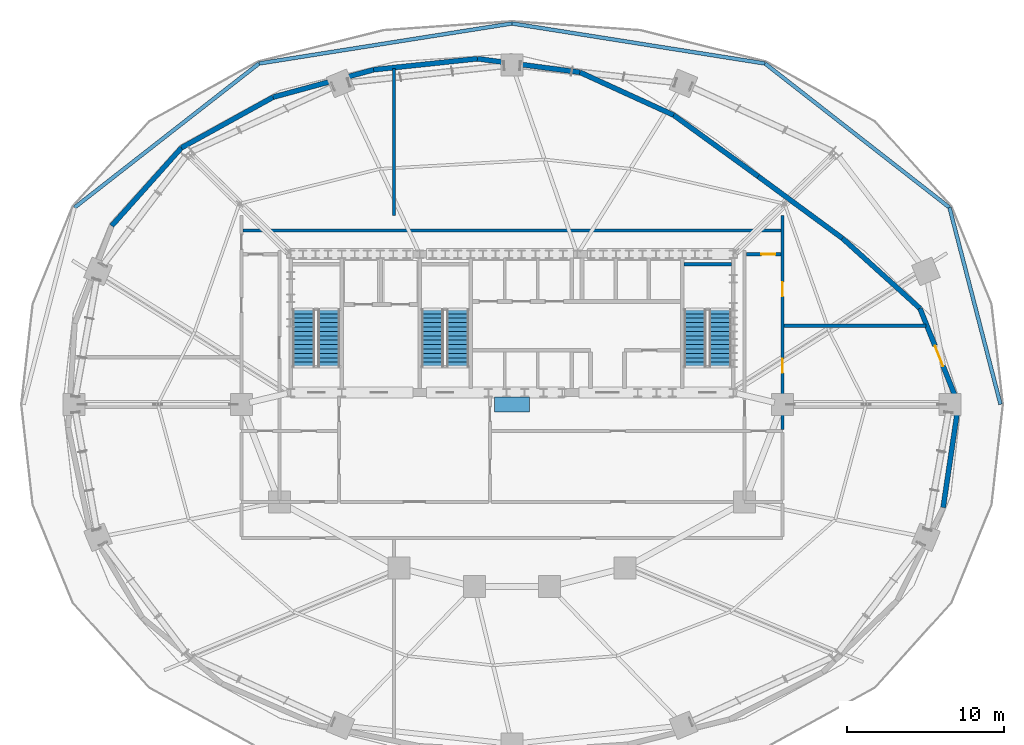
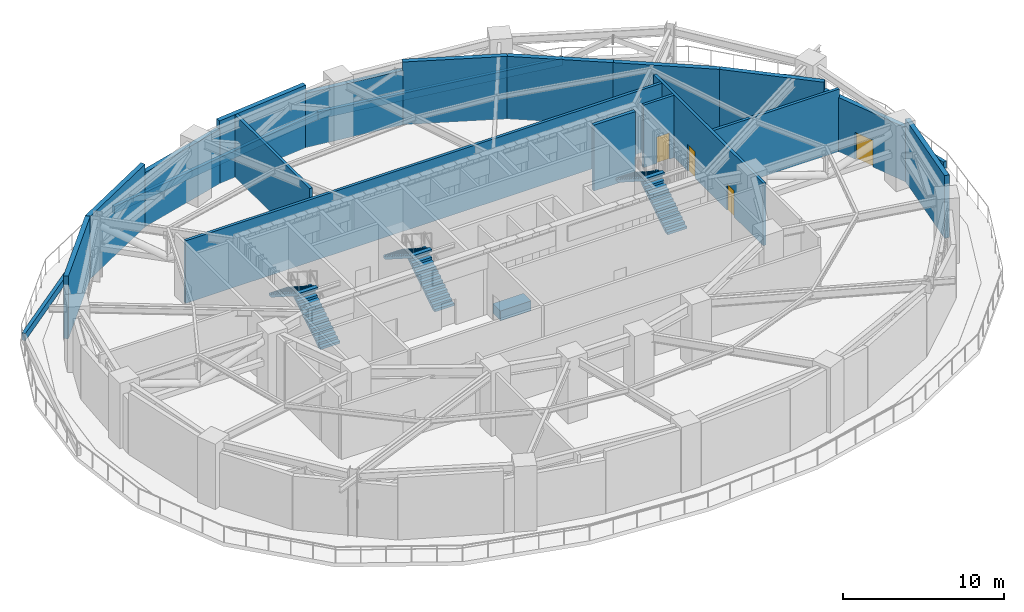
# One storey, part 16 of 18: 22 walls, 6 stair flights, 4 doors, 1 discrete accessory, 4 openings, 3 elements without a shape of their own.
"""IFC4 building model written with IfcOpenShell, lengths in metres."""

from ifc_helpers import new_model, si_unit, direction, frame, frame_2d, origin, origin_2d, place, context, subcontext, project, spatial, polyline, rectangle, outline, extrude, material, layer, layer_set, type_object, element, fill, aggregate, save


model = new_model("IFC4")

# Units and contexts
model_context = context("Model", 3, precision=1e-05, world=origin(), true_north=direction((0.0, 1.0)))
body_context = subcontext(model_context, "Body", "Model", "MODEL_VIEW")
ifc_project = project(units=[si_unit("LENGTHUNIT", "METRE"), si_unit("AREAUNIT", "SQUARE_METRE"), si_unit("VOLUMEUNIT", "CUBIC_METRE"), si_unit("PLANEANGLEUNIT", "RADIAN"), si_unit("MASSUNIT", "GRAM", prefix="KILO")], contexts=[model_context])

# Site, building, storey
site_placement = place(None, origin())
site = spatial("IfcSite", under=ifc_project, at=site_placement, CompositionType="ELEMENT")
building_placement = place(site_placement, origin())
building = spatial("IfcBuilding", under=site, at=building_placement, Name="Haldorwick Loom Tower", CompositionType="ELEMENT")
storey_placement = place(building_placement, frame((0.0, 0.0, 76.800048828125)))
storey = spatial("IfcBuildingStorey", under=building, at=storey_placement, Name="L20", CompositionType="ELEMENT", Elevation=76.800048828125)

# Wall, opening, door
ifc_material_1 = material(Name="Pressed Clay Face Brick and Insulated Masonry Backup Assembly", Category="masonry")
ifc_layer_1 = layer(ifc_material_1, 0.320068359375, Name="Pressed Clay Face Brick and Insulated Masonry Backup Assembly", Category="masonry")
ifc_layer_set_1 = layer_set([ifc_layer_1], Name="Pressed Clay Face Brick and Insulated Masonry Backup Assembly")
wall_type_1 = type_object("IfcWallType", Name="ARC-WL-EXT320", PredefinedType="STANDARD", material=ifc_layer_set_1)
wall_1_placement = place(storey_placement, frame((64.397705078125, 26.0, 0.0), z_axis=(0.0, 0.0, 1.0), x_axis=(-0.371928301023, 0.928261460419, 0.0)))
wall_1 = element("IfcWall", 1, at=wall_1_placement, inside=storey, type_object=wall_type_1, Name="L20 Brick Pier and Spandrel Wall 1", PredefinedType="STANDARD", context=body_context, shape_type="SweptSolid", body=[
    extrude(rectangle(XDim=6.575927734375, YDim=0.320068359375, at=frame_2d((3.2880859375, 0.0))), origin(), (0.0, 0.0, 1.0), 4.118896484375),
])
opening_1_placement = place(wall_1_placement, frame((2.617919921875, 0.0, 0.0)))
opening_1 = element("IfcOpeningElement", 2, at=opening_1_placement, cuts=wall_1, Name="Opening D-TR14", PredefinedType="OPENING", context=body_context, shape_type="SweptSolid", body=[
    extrude(rectangle(XDim=1.39990234375, YDim=2.0400390625, at=frame_2d((0.699951171875, 1.02001953125))), frame((0.0, 0.169921875, 0.0), z_axis=(0.0, -1.0, 0.0), x_axis=(1.0, 0.0, 0.0)), (0.0, 0.0, 1.0), 0.340087890625),
])
ifc_material_2 = material(Name="Thermally Broken Anodized Aluminium Curtain Wall Framing", Category="aluminium")
door_type_1 = type_object("IfcDoorType", Name="ARC-DR-EXT-TER", OperationType="DOUBLE_DOOR_SINGLE_SWING", PredefinedType="DOOR", material=ifc_material_2)
door_1_placement = place(opening_1_placement, origin())
door_1 = element("IfcDoor", 3, at=door_1_placement, inside=storey, type_object=door_type_1, Name="L20 Outdoor Terrace Door SLB-L20-TERR-1", OperationType="DOUBLE_DOOR_SINGLE_SWING", OverallHeight=2.0400390625, OverallWidth=1.39990234375, PredefinedType="DOOR", context=body_context, shape_type="SweptSolid", body=[
    extrude(rectangle(XDim=1.39990234375, YDim=2.0400390625, at=frame_2d((0.699951171875, 1.02001953125))), frame((0.0, 0.02490234375, 0.0), z_axis=(0.0, -1.0, 0.0), x_axis=(1.0, 0.0, 0.0)), (0.0, 0.0, 1.0), 0.050048828125),
])
fill(opening_1, door_1)

# Walls
wall_2_placement = place(storey_placement, frame((61.951904296875, 32.104248046875, 0.0), z_axis=(0.0, 0.0, 1.0), x_axis=(-0.741720160195, 0.67070947806, 0.0)))
element("IfcWall", 4, at=wall_2_placement, inside=storey, type_object=wall_type_1, Name="L20 Brick Pier and Spandrel Wall 2", PredefinedType="STANDARD", context=body_context, shape_type="SweptSolid", body=[
    extrude(rectangle(XDim=6.649169921875, YDim=0.320068359375, at=frame_2d((3.32470703125, 0.0))), origin(), (0.0, 0.0, 1.0), 4.760009765625),
])
wall_3_placement = place(storey_placement, frame((57.02001953125, 36.56396484375, 0.0), z_axis=(0.0, 0.0, 1.0), x_axis=(-0.805740636314, 0.592268542971, 0.0)))
element("IfcWall", 5, at=wall_3_placement, inside=storey, type_object=wall_type_1, Name="L20 Brick Pier and Spandrel Wall 3", PredefinedType="STANDARD", context=body_context, shape_type="SweptSolid", body=[
    extrude(rectangle(XDim=6.652587890625, YDim=0.320068359375, at=frame_2d((3.326171875, 0.0))), origin(), (0.0, 0.0, 1.0), 4.760009765625),
])
wall_4_placement = place(storey_placement, frame((51.65966796875, 40.504150390625, 0.0), z_axis=(0.0, 0.0, 1.0), x_axis=(-0.809847557248, 0.586640378783, 0.0)))
element("IfcWall", 6, at=wall_4_placement, inside=storey, type_object=wall_type_1, Name="L20 Brick Pier and Spandrel Wall 4", PredefinedType="STANDARD", context=body_context, shape_type="SweptSolid", body=[
    extrude(rectangle(XDim=6.640380859375, YDim=0.320068359375, at=frame_2d((3.3203125, 0.0))), origin(), (0.0, 0.0, 1.0), 4.760009765625),
])
wall_5_placement = place(storey_placement, frame((46.281982421875, 44.399658203125, 0.0), z_axis=(0.0, 0.0, 1.0), x_axis=(-0.909541311737, 0.415613525096, 0.0)))
element("IfcWall", 7, at=wall_5_placement, inside=storey, type_object=wall_type_1, Name="L20 Brick Pier and Spandrel Wall 5", PredefinedType="STANDARD", context=body_context, shape_type="SweptSolid", body=[
    extrude(rectangle(XDim=6.5498046875, YDim=0.320068359375, at=frame_2d((3.27490234375, 0.0))), origin(), (0.0, 0.0, 1.0), 4.760009765625),
])
wall_6_placement = place(storey_placement, frame((40.32470703125, 47.121826171875, 0.0), z_axis=(0.0, 0.0, 1.0), x_axis=(-0.991355049741, 0.131206575115, 0.0)))
element("IfcWall", 8, at=wall_6_placement, inside=storey, type_object=wall_type_1, Name="L20 Brick Pier and Spandrel Wall 6", PredefinedType="STANDARD", context=body_context, shape_type="SweptSolid", body=[
    extrude(rectangle(XDim=6.583251953125, YDim=0.320068359375, at=frame_2d((3.29150390625, 0.0))), origin(), (0.0, 0.0, 1.0), 4.118896484375),
])
wall_7_placement = place(storey_placement, frame((33.79833984375, 47.985595703125, 0.0), z_axis=(0.0, 0.0, 1.0), x_axis=(-0.994445602528, -0.105251810496, 0.0)))
element("IfcWall", 9, at=wall_7_placement, inside=storey, type_object=wall_type_1, Name="L20 Brick Pier and Spandrel Wall 7", PredefinedType="STANDARD", context=body_context, shape_type="SweptSolid", body=[
    extrude(rectangle(XDim=6.634033203125, YDim=0.320068359375, at=frame_2d((3.31689453125, 0.0))), origin(), (0.0, 0.0, 1.0), 4.760009765625),
])
wall_8_placement = place(storey_placement, frame((27.201171875, 47.287353515625, 0.0), z_axis=(0.0, 0.0, 1.0), x_axis=(-0.964708627581, -0.26331969898, 0.0)))
element("IfcWall", 10, at=wall_8_placement, inside=storey, type_object=wall_type_1, Name="L20 Brick Pier and Spandrel Wall 8", PredefinedType="STANDARD", context=body_context, shape_type="SweptSolid", body=[
    extrude(rectangle(XDim=6.637451171875, YDim=0.320068359375, at=frame_2d((3.31884765625, 0.0))), origin(), (0.0, 0.0, 1.0), 4.118896484375),
])
wall_9_placement = place(storey_placement, frame((20.7978515625, 45.53955078125, 0.0), z_axis=(0.0, 0.0, 1.0), x_axis=(-0.875291801267, -0.483595143313, 0.0)))
element("IfcWall", 11, at=wall_9_placement, inside=storey, type_object=wall_type_1, Name="L20 Brick Pier and Spandrel Wall 9", PredefinedType="STANDARD", context=body_context, shape_type="SweptSolid", body=[
    extrude(rectangle(XDim=6.65478515625, YDim=0.320068359375, at=frame_2d((3.327392578125, 0.0))), origin(), (0.0, 0.0, 1.0), 4.760009765625),
])
wall_10_placement = place(storey_placement, frame((14.972900390625, 42.3212890625, 0.0), z_axis=(0.0, 0.0, 1.0), x_axis=(-0.666386109323, -0.745606835606, 0.0)))
element("IfcWall", 12, at=wall_10_placement, inside=storey, type_object=wall_type_1, Name="L20 Brick Pier and Spandrel Wall 10", PredefinedType="STANDARD", context=body_context, shape_type="SweptSolid", body=[
    extrude(rectangle(XDim=6.653564453125, YDim=0.320068359375, at=frame_2d((3.32666015625, 0.0))), origin(), (0.0, 0.0, 1.0), 4.760009765625),
])
wall_11_placement = place(storey_placement, frame((63.427001953125, 19.438720703125, 0.0), z_axis=(0.0, 0.0, 1.0), x_axis=(0.146351225421, 0.989232691948, 0.0)))
element("IfcWall", 13, at=wall_11_placement, inside=storey, type_object=wall_type_1, Name="L20 Brick Pier and Spandrel Wall 24", PredefinedType="STANDARD", context=body_context, shape_type="SweptSolid", body=[
    extrude(rectangle(XDim=6.6328125, YDim=0.320068359375, at=frame_2d((3.31640625, 0.0))), origin(), (0.0, 0.0, 1.0), 4.760009765625),
])

# Wall, openings, doors
ifc_material_3 = material(Name="Fire-Rated Type X Gypsum Stud Assembly EI 120")
ifc_layer_2 = layer(ifc_material_3, 0.199951171875, Name="Fire-Rated Type X Gypsum Stud Assembly EI 120")
ifc_layer_set_2 = layer_set([ifc_layer_2], Name="Fire-Rated Type X Gypsum Stud Assembly EI 120")
wall_type_2 = type_object("IfcWallType", Name="ARC-WL-FIRE200", PredefinedType="PARTITIONING", material=ifc_layer_set_2)
wall_12_placement = place(storey_placement, frame((53.199951171875, 24.403076171875, 0.0), z_axis=(0.0, 0.0, 1.0), x_axis=(0.0, 1.0, 0.0)))
wall_12 = element("IfcWall", 14, at=wall_12_placement, inside=storey, type_object=wall_type_2, Name="L20 Interior Partition L20-PC-E1", PredefinedType="PARTITIONING", context=body_context, shape_type="SweptSolid", body=[
    extrude(rectangle(XDim=13.596923828125, YDim=0.199951171875, at=frame_2d((6.79833984375, 0.0))), origin(), (0.0, 0.0, 1.0), 4.744873046875),
])
opening_2_placement = place(wall_12_placement, frame((3.59326171875, 0.0, 0.0)))
opening_2 = element("IfcOpeningElement", 15, at=opening_2_placement, cuts=wall_12, Name="Opening D-FD60A", PredefinedType="OPENING", context=body_context, shape_type="SweptSolid", body=[
    extrude(rectangle(XDim=0.89990234375, YDim=2.0, at=frame_2d((0.449951171875, 1.0))), frame((0.0, 0.10986328125, 0.0), z_axis=(0.0, -1.0, 0.0), x_axis=(1.0, 0.0, 0.0)), (0.0, 0.0, 1.0), 0.219970703125),
])
opening_3_placement = place(wall_12_placement, frame((8.466064453125, 0.0, 0.0)))
opening_3 = element("IfcOpeningElement", 16, at=opening_3_placement, cuts=wall_12, Name="Opening D-FD60A", PredefinedType="OPENING", context=body_context, shape_type="SweptSolid", body=[
    extrude(rectangle(XDim=0.89990234375, YDim=2.0, at=frame_2d((0.449951171875, 1.0))), frame((0.0, 0.10986328125, 0.0), z_axis=(0.0, -1.0, 0.0), x_axis=(1.0, 0.0, 0.0)), (0.0, 0.0, 1.0), 0.219970703125),
])
ifc_material_4 = material(Name="Hollow Steel Fire Door Assembly", Category="steel")
door_type_2 = type_object("IfcDoorType", Name="ARC-DR-FD60-90", OperationType="NOTDEFINED", PredefinedType="DOOR", material=ifc_material_4)
door_2_placement = place(opening_2_placement, frame((0.89990234375, 0.0, 0.0), z_axis=(0.0, 0.0, 1.0), x_axis=(-1.0, 0.0, 0.0)))
door_2 = element("IfcDoor", 17, at=door_2_placement, inside=storey, type_object=door_type_2, Name="L20 East Mechanical Corridor to Air Handling Ventilation Plant Door", OperationType="SINGLE_SWING_LEFT", OverallHeight=2.0, OverallWidth=0.89990234375, PredefinedType="DOOR", context=body_context, shape_type="SweptSolid", body=[
    extrude(rectangle(XDim=0.89990234375, YDim=2.0, at=frame_2d((0.449951171875, 1.0))), frame((0.0, 0.02490234375, 0.0), z_axis=(0.0, -1.0, 0.0), x_axis=(1.0, 0.0, 0.0)), (0.0, 0.0, 1.0), 0.050048828125),
])
fill(opening_2, door_2)
door_3_placement = place(opening_3_placement, frame((0.89990234375, 0.0, 0.0), z_axis=(0.0, 0.0, 1.0), x_axis=(-1.0, 0.0, 0.0)))
door_3 = element("IfcDoor", 18, at=door_3_placement, inside=storey, type_object=door_type_2, Name="L20 East Mechanical Corridor to Emergency Power Transformer Plant Door", OperationType="SINGLE_SWING_RIGHT", OverallHeight=2.0, OverallWidth=0.89990234375, PredefinedType="DOOR", context=body_context, shape_type="SweptSolid", body=[
    extrude(rectangle(XDim=0.89990234375, YDim=2.0, at=frame_2d((0.449951171875, 1.0))), frame((0.0, 0.02490234375, 0.0), z_axis=(0.0, -1.0, 0.0), x_axis=(1.0, 0.0, 0.0)), (0.0, 0.0, 1.0), 0.050048828125),
])
fill(opening_3, door_3)

# Wall, opening, door
wall_13_placement = place(storey_placement, frame((50.903076171875, 35.550048828125, 0.0), z_axis=(0.0, 0.0, 1.0), x_axis=(1.0, 0.0, 0.0)))
wall_13 = element("IfcWall", 19, at=wall_13_placement, inside=storey, type_object=wall_type_2, Name="L20 Interior Partition L20-PC-EN", PredefinedType="PARTITIONING", context=body_context, shape_type="SweptSolid", body=[
    extrude(rectangle(XDim=2.19384765625, YDim=0.199951171875, at=frame_2d((1.096923828125, 0.0))), origin(), (0.0, 0.0, 1.0), 4.744873046875),
])
opening_4_placement = place(wall_13_placement, frame((0.9541015625, 0.0, 0.0)))
opening_4 = element("IfcOpeningElement", 20, at=opening_4_placement, cuts=wall_13, Name="Opening D-FD60A", PredefinedType="OPENING", context=body_context, shape_type="SweptSolid", body=[
    extrude(rectangle(XDim=0.89990234375, YDim=2.0, at=frame_2d((0.449951171875, 1.0))), frame((0.0, 0.10986328125, 0.0), z_axis=(0.0, -1.0, 0.0), x_axis=(1.0, 0.0, 0.0)), (0.0, 0.0, 1.0), 0.219970703125),
])
door_4_placement = place(opening_4_placement, origin())
door_4 = element("IfcDoor", 21, at=door_4_placement, inside=storey, type_object=door_type_2, Name="L20 North Mechanical Corridor to East Mechanical Corridor Door", OperationType="SINGLE_SWING_LEFT", OverallHeight=2.0, OverallWidth=0.89990234375, PredefinedType="DOOR", context=body_context, shape_type="SweptSolid", body=[
    extrude(rectangle(XDim=0.89990234375, YDim=2.0, at=frame_2d((0.449951171875, 1.0))), frame((0.0, 0.02490234375, 0.0), z_axis=(0.0, -1.0, 0.0), x_axis=(1.0, 0.0, 0.0)), (0.0, 0.0, 1.0), 0.050048828125),
])
fill(opening_4, door_4)

# Walls
wall_14_placement = place(storey_placement, frame((18.903076171875, 37.050048828125, 0.0), z_axis=(0.0, 0.0, 1.0), x_axis=(1.0, 0.0, 0.0)))
element("IfcWall", 22, at=wall_14_placement, inside=storey, type_object=wall_type_2, Name="L20 Interior Partition L20-PC-N1", PredefinedType="PARTITIONING", context=body_context, shape_type="SweptSolid", body=[
    extrude(rectangle(XDim=34.19384765625, YDim=0.199951171875, at=frame_2d((17.096923828125, 0.0))), origin(), (0.0, 0.0, 1.0), 4.744873046875),
])
wall_15_placement = place(storey_placement, frame((28.5, 38.0, 0.0), z_axis=(0.0, 0.0, 1.0), x_axis=(0.0, 1.0, 0.0)))
element("IfcWall", 23, at=wall_15_placement, inside=storey, type_object=wall_type_2, Name="L20 Interior Partition L20-PL-N", PredefinedType="PARTITIONING", context=body_context, shape_type="SweptSolid", body=[
    extrude(rectangle(XDim=9.359375, YDim=0.199951171875, at=frame_2d((4.6796875, 0.0))), origin(), (0.0, 0.0, 1.0), 4.744873046875),
])
wall_16_placement = place(storey_placement, frame((53.302978515625, 31.0, 0.0), z_axis=(0.0, 0.0, 1.0), x_axis=(1.0, 0.0, 0.0)))
element("IfcWall", 24, at=wall_16_placement, inside=storey, type_object=wall_type_2, Name="L20 Interior Partition L20-PL-E", PredefinedType="PARTITIONING", context=body_context, shape_type="SweptSolid", body=[
    extrude(rectangle(XDim=9.021240234375, YDim=0.199951171875, at=frame_2d((4.5107421875, 0.0))), origin(), (0.0, 0.0, 1.0), 4.744873046875),
])
ifc_layer_3 = layer(ifc_material_1, 0.239990234375, Name="Pressed Clay Face Brick and Insulated Masonry Backup Assembly", Category="masonry")
ifc_layer_set_3 = layer_set([ifc_layer_3], Name="Pressed Clay Face Brick and Insulated Masonry Backup Assembly")
wall_type_3 = type_object("IfcWallType", Name="ARC-WL-PARAPET240", PredefinedType="PARAPET", material=ifc_layer_set_3)
wall_17_placement = place(storey_placement, frame((8.17138671875, 38.518798828125, 0.0), z_axis=(0.0, 0.0, 1.0), x_axis=(0.788139218322, 0.615497012619, 0.0)))
element("IfcWall", 25, at=wall_17_placement, inside=storey, type_object=wall_type_3, Name="L20 Terrace Masonry Parapet 2", PredefinedType="PARAPET", context=body_context, shape_type="SweptSolid", body=[
    extrude(rectangle(XDim=14.88818359375, YDim=0.239990234375, at=frame_2d((7.444091796875, 0.0))), origin(), (0.0, 0.0, 1.0), 0.550048828125),
])
wall_18_placement = place(storey_placement, frame((19.9052734375, 47.682373046875, 0.0), z_axis=(0.0, 0.0, 1.0), x_axis=(0.987707629948, 0.156312628227, 0.0)))
element("IfcWall", 26, at=wall_18_placement, inside=storey, type_object=wall_type_3, Name="L20 Terrace Masonry Parapet 3", PredefinedType="PARAPET", context=body_context, shape_type="SweptSolid", body=[
    extrude(rectangle(XDim=16.294921875, YDim=0.239990234375, at=frame_2d((8.1474609375, 0.0))), origin(), (0.0, 0.0, 1.0), 0.550048828125),
])
wall_19_placement = place(storey_placement, frame((36.0, 50.2294921875, 0.0), z_axis=(0.0, 0.0, 1.0), x_axis=(0.987706048934, -0.156322618005, 0.0)))
element("IfcWall", 27, at=wall_19_placement, inside=storey, type_object=wall_type_3, Name="L20 Terrace Masonry Parapet 4", PredefinedType="PARAPET", context=body_context, shape_type="SweptSolid", body=[
    extrude(rectangle(XDim=16.295654296875, YDim=0.239990234375, at=frame_2d((8.14794921875, 0.0))), origin(), (0.0, 0.0, 1.0), 0.550048828125),
])
wall_20_placement = place(storey_placement, frame((52.09521484375, 47.68212890625, 0.0), z_axis=(0.0, 0.0, 1.0), x_axis=(0.788134748337, -0.615502736357, 0.0)))
element("IfcWall", 28, at=wall_20_placement, inside=storey, type_object=wall_type_3, Name="L20 Terrace Masonry Parapet 5", PredefinedType="PARAPET", context=body_context, shape_type="SweptSolid", body=[
    extrude(rectangle(XDim=14.887451171875, YDim=0.239990234375, at=frame_2d((7.44384765625, 0.0))), origin(), (0.0, 0.0, 1.0), 0.550048828125),
])
wall_21_placement = place(storey_placement, frame((63.82861328125, 38.518798828125, 0.0), z_axis=(0.0, 0.0, 1.0), x_axis=(0.250979192362, -0.967992481893, 0.0)))
element("IfcWall", 29, at=wall_21_placement, inside=storey, type_object=wall_type_3, Name="L20 Terrace Masonry Parapet 6", PredefinedType="PARAPET", context=body_context, shape_type="SweptSolid", body=[
    extrude(rectangle(XDim=12.932861328125, YDim=0.239990234375, at=frame_2d((6.46630859375, 0.0))), origin(), (0.0, 0.0, 1.0), 0.550048828125),
])
ifc_material_5 = material(Name="Concrete C50 (50 MPa)", Category="concrete")
ifc_layer_4 = layer(ifc_material_5, 0.239990234375, Name="Concrete C50 (50 MPa)", Category="concrete")
ifc_layer_set_4 = layer_set([ifc_layer_4], Name="Concrete C50 (50 MPa)")
wall_type_4 = type_object("IfcWallType", Name="STR-WL-SHAFT240", PredefinedType="SHEAR", material=ifc_layer_set_4)
wall_22_placement = place(storey_placement, frame((46.952880859375, 34.919921875, 0.0), z_axis=(0.0, 0.0, 1.0), x_axis=(1.0, 0.0, 0.0)))
element("IfcWall", 30, at=wall_22_placement, inside=storey, type_object=wall_type_4, Name="L20 Core Shear Wall 4N", PredefinedType="SHEAR", context=body_context, shape_type="SweptSolid", body=[
    extrude(rectangle(XDim=2.994140625, YDim=0.239990234375, at=frame_2d((1.4970703125, 0.0))), origin(), (0.0, 0.0, 1.0), 5.0),
])

# Stair, stair flights
ifc_material_6 = material(Name="Concrete C40 (40 MPa)", Category="concrete")
stair_type = type_object("IfcStairType", Name="STR-STR-CORE", PredefinedType="HALF_TURN_STAIR", material=ifc_material_6)
stair_1_placement = place(storey_placement, origin())
stair_1 = element("IfcStair", 31, at=stair_1_placement, inside=storey, type_object=stair_type, Name="L20 Exit Stair ST-01", PredefinedType="HALF_TURN_STAIR")
stair_flight_type = type_object("IfcStairFlightType", Name="STR-STF-1250", PredefinedType="STRAIGHT", material=ifc_material_6)
stair_flight_1_placement = place(storey_placement, frame((24.35009765625, 28.39990234375, 0.0), z_axis=(0.0, 0.0, 1.0), x_axis=(0.0, 1.0, 0.0)))
stair_flight_1 = element("IfcStairFlight", 32, at=stair_flight_1_placement, type_object=stair_flight_type, Name="ST-01 flight 1", NumberOfRisers=14, NumberOfTreads=13, PredefinedType="STRAIGHT", RiserHeight=0.178571429, TreadLength=0.28, context=body_context, shape_type="SweptSolid", body=[
    extrude(outline(polyline([(0.0, 0.0), (0.0, 0.178466796875), (0.280029296875, 0.178466796875), (0.280029296875, 0.357177734375), (0.56005859375, 0.357177734375), (0.56005859375, 0.53564453125), (0.840087890625, 0.53564453125), (0.840087890625, 0.71435546875), (1.1201171875, 0.71435546875), (1.1201171875, 0.892822265625), (1.39990234375, 0.892822265625), (1.39990234375, 1.071533203125), (1.679931640625, 1.071533203125), (1.679931640625, 1.25), (1.9599609375, 1.25), (1.9599609375, 1.428466796875), (2.239990234375, 1.428466796875), (2.239990234375, 1.607177734375), (2.52001953125, 1.607177734375), (2.52001953125, 1.78564453125), (2.800048828125, 1.78564453125), (2.800048828125, 1.96435546875), (3.080078125, 1.96435546875), (3.080078125, 2.142822265625), (3.360107421875, 2.142822265625), (3.360107421875, 2.321533203125), (3.639892578125, 2.321533203125), (3.639892578125, 2.5), (3.639892578125, 2.1435546875), (0.27880859375, 0.0), (0.0, 0.0)])), frame((0.0, 0.699951171875, 0.0), z_axis=(0.0, -1.0, 0.0), x_axis=(1.0, 0.0, 0.0)), (0.0, 0.0, 1.0), 1.39990234375),
])
stair_flight_2_placement = place(storey_placement, frame((22.75, 32.0400390625, 2.5), z_axis=(0.0, 0.0, 1.0), x_axis=(0.0, -1.0, 0.0)))
stair_flight_2 = element("IfcStairFlight", 33, at=stair_flight_2_placement, type_object=stair_flight_type, Name="ST-01 flight 2", NumberOfRisers=14, NumberOfTreads=13, PredefinedType="STRAIGHT", RiserHeight=0.178571429, TreadLength=0.28, context=body_context, shape_type="SweptSolid", body=[
    extrude(outline(polyline([(0.0, 0.0), (0.0, 0.178466796875), (0.280029296875, 0.178466796875), (0.280029296875, 0.357177734375), (0.56005859375, 0.357177734375), (0.56005859375, 0.53564453125), (0.840087890625, 0.53564453125), (0.840087890625, 0.71435546875), (1.1201171875, 0.71435546875), (1.1201171875, 0.892822265625), (1.39990234375, 0.892822265625), (1.39990234375, 1.071533203125), (1.679931640625, 1.071533203125), (1.679931640625, 1.25), (1.9599609375, 1.25), (1.9599609375, 1.428466796875), (2.239990234375, 1.428466796875), (2.239990234375, 1.607177734375), (2.52001953125, 1.607177734375), (2.52001953125, 1.78564453125), (2.800048828125, 1.78564453125), (2.800048828125, 1.96435546875), (3.080078125, 1.96435546875), (3.080078125, 2.142822265625), (3.360107421875, 2.142822265625), (3.360107421875, 2.321533203125), (3.639892578125, 2.321533203125), (3.639892578125, 2.5), (3.639892578125, 2.1435546875), (0.27880859375, 0.0), (0.0, 0.0)])), frame((0.0, 0.699951171875, 0.0), z_axis=(0.0, -1.0, 0.0), x_axis=(1.0, 0.0, 0.0)), (0.0, 0.0, 1.0), 1.39990234375),
])
aggregate(stair_1, [stair_flight_1, stair_flight_2])

stair_2_placement = place(storey_placement, origin())
stair_2 = element("IfcStair", 34, at=stair_2_placement, inside=storey, type_object=stair_type, Name="L20 Exit Stair ST-02", PredefinedType="HALF_TURN_STAIR")
stair_flight_3_placement = place(storey_placement, frame((49.25, 28.39990234375, 0.0), z_axis=(0.0, 0.0, 1.0), x_axis=(0.0, 1.0, 0.0)))
stair_flight_3 = element("IfcStairFlight", 35, at=stair_flight_3_placement, type_object=stair_flight_type, Name="ST-02 flight 1", NumberOfRisers=14, NumberOfTreads=13, PredefinedType="STRAIGHT", RiserHeight=0.178571429, TreadLength=0.28, context=body_context, shape_type="SweptSolid", body=[
    extrude(outline(polyline([(0.0, 0.0), (0.0, 0.178466796875), (0.280029296875, 0.178466796875), (0.280029296875, 0.357177734375), (0.56005859375, 0.357177734375), (0.56005859375, 0.53564453125), (0.840087890625, 0.53564453125), (0.840087890625, 0.71435546875), (1.1201171875, 0.71435546875), (1.1201171875, 0.892822265625), (1.39990234375, 0.892822265625), (1.39990234375, 1.071533203125), (1.679931640625, 1.071533203125), (1.679931640625, 1.25), (1.9599609375, 1.25), (1.9599609375, 1.428466796875), (2.239990234375, 1.428466796875), (2.239990234375, 1.607177734375), (2.52001953125, 1.607177734375), (2.52001953125, 1.78564453125), (2.800048828125, 1.78564453125), (2.800048828125, 1.96435546875), (3.080078125, 1.96435546875), (3.080078125, 2.142822265625), (3.360107421875, 2.142822265625), (3.360107421875, 2.321533203125), (3.639892578125, 2.321533203125), (3.639892578125, 2.5), (3.639892578125, 2.1435546875), (0.27880859375, 0.0), (0.0, 0.0)])), frame((0.0, 0.699951171875, 0.0), z_axis=(0.0, -1.0, 0.0), x_axis=(1.0, 0.0, 0.0)), (0.0, 0.0, 1.0), 1.39990234375),
])
stair_flight_4_placement = place(storey_placement, frame((47.64990234375, 32.0400390625, 2.5), z_axis=(0.0, 0.0, 1.0), x_axis=(0.0, -1.0, 0.0)))
stair_flight_4 = element("IfcStairFlight", 36, at=stair_flight_4_placement, type_object=stair_flight_type, Name="ST-02 flight 2", NumberOfRisers=14, NumberOfTreads=13, PredefinedType="STRAIGHT", RiserHeight=0.178571429, TreadLength=0.28, context=body_context, shape_type="SweptSolid", body=[
    extrude(outline(polyline([(0.0, 0.0), (0.0, 0.178466796875), (0.280029296875, 0.178466796875), (0.280029296875, 0.357177734375), (0.56005859375, 0.357177734375), (0.56005859375, 0.53564453125), (0.840087890625, 0.53564453125), (0.840087890625, 0.71435546875), (1.1201171875, 0.71435546875), (1.1201171875, 0.892822265625), (1.39990234375, 0.892822265625), (1.39990234375, 1.071533203125), (1.679931640625, 1.071533203125), (1.679931640625, 1.25), (1.9599609375, 1.25), (1.9599609375, 1.428466796875), (2.239990234375, 1.428466796875), (2.239990234375, 1.607177734375), (2.52001953125, 1.607177734375), (2.52001953125, 1.78564453125), (2.800048828125, 1.78564453125), (2.800048828125, 1.96435546875), (3.080078125, 1.96435546875), (3.080078125, 2.142822265625), (3.360107421875, 2.142822265625), (3.360107421875, 2.321533203125), (3.639892578125, 2.321533203125), (3.639892578125, 2.5), (3.639892578125, 2.1435546875), (0.27880859375, 0.0), (0.0, 0.0)])), frame((0.0, 0.699951171875, 0.0), z_axis=(0.0, -1.0, 0.0), x_axis=(1.0, 0.0, 0.0)), (0.0, 0.0, 1.0), 1.39990234375),
])
aggregate(stair_2, [stair_flight_3, stair_flight_4])

stair_3_placement = place(storey_placement, origin())
stair_3 = element("IfcStair", 37, at=stair_3_placement, inside=storey, type_object=stair_type, Name="L20 Exit Stair ST-03", PredefinedType="HALF_TURN_STAIR")
stair_flight_5_placement = place(storey_placement, frame((32.550048828125, 28.39990234375, 0.0), z_axis=(0.0, 0.0, 1.0), x_axis=(0.0, 1.0, 0.0)))
stair_flight_5 = element("IfcStairFlight", 38, at=stair_flight_5_placement, type_object=stair_flight_type, Name="ST-03 flight 1", NumberOfRisers=14, NumberOfTreads=13, PredefinedType="STRAIGHT", RiserHeight=0.178571429, TreadLength=0.28, context=body_context, shape_type="SweptSolid", body=[
    extrude(outline(polyline([(0.0, 0.0), (0.0, 0.178466796875), (0.280029296875, 0.178466796875), (0.280029296875, 0.357177734375), (0.56005859375, 0.357177734375), (0.56005859375, 0.53564453125), (0.840087890625, 0.53564453125), (0.840087890625, 0.71435546875), (1.1201171875, 0.71435546875), (1.1201171875, 0.892822265625), (1.39990234375, 0.892822265625), (1.39990234375, 1.071533203125), (1.679931640625, 1.071533203125), (1.679931640625, 1.25), (1.9599609375, 1.25), (1.9599609375, 1.428466796875), (2.239990234375, 1.428466796875), (2.239990234375, 1.607177734375), (2.52001953125, 1.607177734375), (2.52001953125, 1.78564453125), (2.800048828125, 1.78564453125), (2.800048828125, 1.96435546875), (3.080078125, 1.96435546875), (3.080078125, 2.142822265625), (3.360107421875, 2.142822265625), (3.360107421875, 2.321533203125), (3.639892578125, 2.321533203125), (3.639892578125, 2.5), (3.639892578125, 2.1435546875), (0.27880859375, 0.0), (0.0, 0.0)])), frame((0.0, 0.699951171875, 0.0), z_axis=(0.0, -1.0, 0.0), x_axis=(1.0, 0.0, 0.0)), (0.0, 0.0, 1.0), 1.39990234375),
])
stair_flight_6_placement = place(storey_placement, frame((30.949951171875, 32.0400390625, 2.5), z_axis=(0.0, 0.0, 1.0), x_axis=(0.0, -1.0, 0.0)))
stair_flight_6 = element("IfcStairFlight", 39, at=stair_flight_6_placement, type_object=stair_flight_type, Name="ST-03 flight 2", NumberOfRisers=14, NumberOfTreads=13, PredefinedType="STRAIGHT", RiserHeight=0.178571429, TreadLength=0.28, context=body_context, shape_type="SweptSolid", body=[
    extrude(outline(polyline([(0.0, 0.0), (0.0, 0.178466796875), (0.280029296875, 0.178466796875), (0.280029296875, 0.357177734375), (0.56005859375, 0.357177734375), (0.56005859375, 0.53564453125), (0.840087890625, 0.53564453125), (0.840087890625, 0.71435546875), (1.1201171875, 0.71435546875), (1.1201171875, 0.892822265625), (1.39990234375, 0.892822265625), (1.39990234375, 1.071533203125), (1.679931640625, 1.071533203125), (1.679931640625, 1.25), (1.9599609375, 1.25), (1.9599609375, 1.428466796875), (2.239990234375, 1.428466796875), (2.239990234375, 1.607177734375), (2.52001953125, 1.607177734375), (2.52001953125, 1.78564453125), (2.800048828125, 1.78564453125), (2.800048828125, 1.96435546875), (3.080078125, 1.96435546875), (3.080078125, 2.142822265625), (3.360107421875, 2.142822265625), (3.360107421875, 2.321533203125), (3.639892578125, 2.321533203125), (3.639892578125, 2.5), (3.639892578125, 2.1435546875), (0.27880859375, 0.0), (0.0, 0.0)])), frame((0.0, 0.699951171875, 0.0), z_axis=(0.0, -1.0, 0.0), x_axis=(1.0, 0.0, 0.0)), (0.0, 0.0, 1.0), 1.39990234375),
])
aggregate(stair_3, [stair_flight_5, stair_flight_6])

# Discrete accessory
ifc_material_7 = material(Name="Architectural Precast Concrete C40 (40 MPa)", Category="concrete")
discrete_accessory_type = type_object("IfcDiscreteAccessoryType", Name="ARC-ACC-PLANTER", PredefinedType="USERDEFINED", material=ifc_material_7)
discrete_accessory_placement = place(storey_placement, frame((36.0, 26.001220703125, 0.0), z_axis=(0.0, 0.0, 1.0), x_axis=(1.0, 0.0, 0.0)))
element("IfcDiscreteAccessory", 40, at=discrete_accessory_placement, inside=storey, type_object=discrete_accessory_type, Name="L20 Setback Terrace Planter", ObjectType="PLANTER", PredefinedType="USERDEFINED", context=body_context, shape_type="SweptSolid", body=[
    extrude(rectangle(XDim=2.199951171875, YDim=0.949951171875, at=origin_2d()), origin(), (0.0, 0.0, 1.0), 0.75),
])

save(model, "model.ifc")
